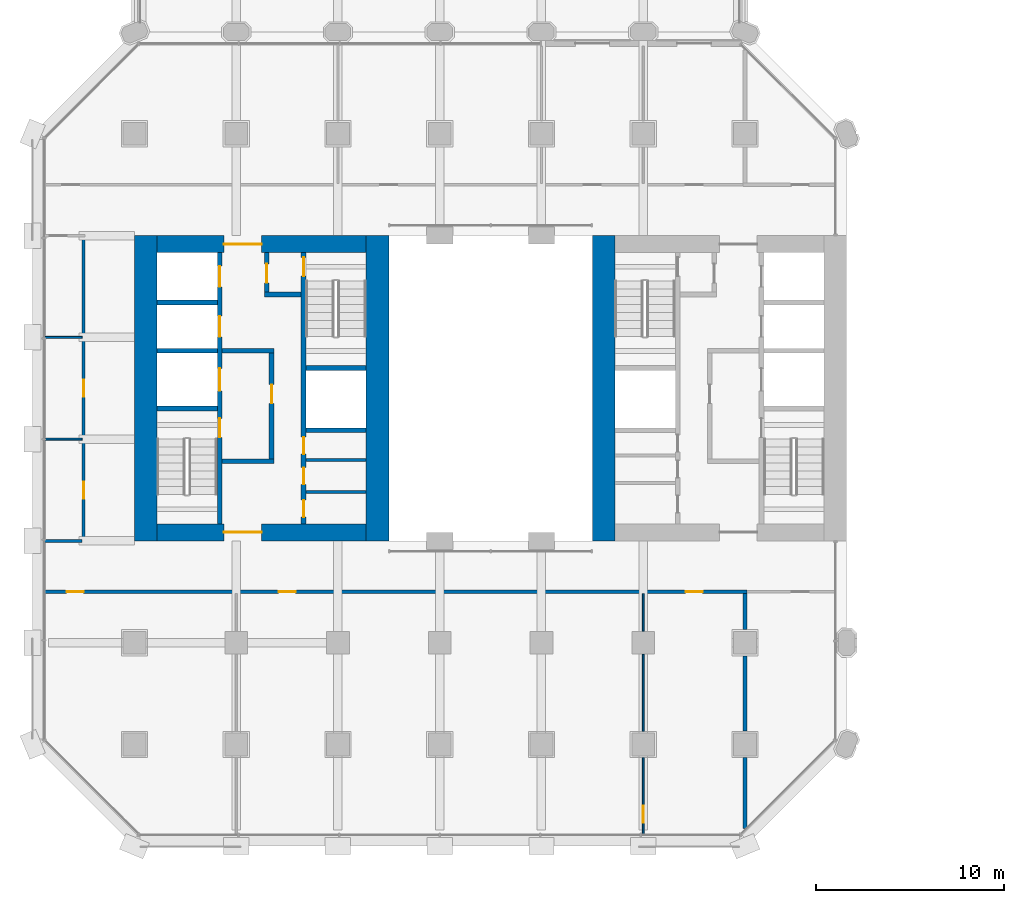
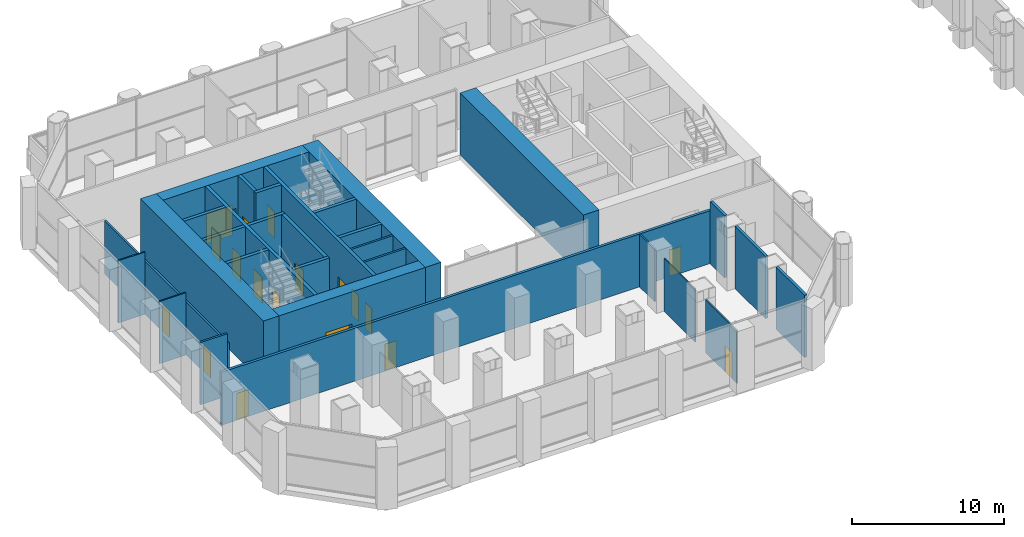
# One storey, part 12 of 27: 30 walls, 18 doors, 18 openings.
"""IFC4 building model written with IfcOpenShell, lengths in metres."""

from ifc_helpers import new_model, si_unit, direction, frame, frame_2d, origin, place, context, subcontext, project, spatial, rectangle, extrude, material, layer, layer_set, type_object, element, fill, save


model = new_model("IFC4")

# Units and contexts
model_context = context("Model", 3, precision=1e-05, world=origin(), true_north=direction((0.0, 1.0)))
body_context = subcontext(model_context, "Body", "Model", "MODEL_VIEW")
ifc_project = project(units=[si_unit("LENGTHUNIT", "METRE"), si_unit("AREAUNIT", "SQUARE_METRE"), si_unit("VOLUMEUNIT", "CUBIC_METRE"), si_unit("PLANEANGLEUNIT", "RADIAN"), si_unit("MASSUNIT", "GRAM", prefix="KILO")], contexts=[model_context])

# Site, building, storey
site_placement = place(None, origin())
site = spatial("IfcSite", under=ifc_project, at=site_placement, CompositionType="ELEMENT")
building_placement = place(site_placement, origin())
building = spatial("IfcBuilding", under=site, at=building_placement, Name="Tabaq Tower and Sports Hall", CompositionType="ELEMENT")
storey_placement = place(building_placement, frame((0.0, 0.0, 14.39990234375)))
storey = spatial("IfcBuildingStorey", under=building, at=storey_placement, Name="L02", CompositionType="ELEMENT", Elevation=14.39990234375)

# Walls
ifc_material_1 = material(Name="Blockwork", Category="masonry")
ifc_layer_1 = layer(ifc_material_1, 0.14990234375)
ifc_layer_set_1 = layer_set([ifc_layer_1], Name="Core room partition 150 Blockwork")
wall_type_1 = type_object("IfcWallType", Name="Core room partition 150 Blockwork", PredefinedType="PARTITIONING", material=ifc_layer_set_1)
for number, where, z_axis, x_axis, name in (
    (1, (14.5, 18.797119140625, 0.0), (0.0, 0.0, 1.0), (1.0, 0.0, 0.0), "Core room partition W L02"),
    (2, (14.5, 20.493896484375, 0.0), (0.0, 0.0, 1.0), (1.0, 0.0, 0.0), "Core room partition W L02"),
):
    element("IfcWall", number, at=place(storey_placement, frame(where, z_axis=z_axis, x_axis=x_axis)), inside=storey, type_object=wall_type_1, Name=name, PredefinedType="PARTITIONING", context=body_context, shape_type="SweptSolid", body=[
        extrude(rectangle(XDim=3.199951171875, YDim=0.14990234375, at=frame_2d((1.60009765625, 0.0))), origin(), (0.0, 0.0, 1.0), 5.0),
    ])
ifc_material_2 = material(Name="Concrete C60/75", Category="concrete")
ifc_layer_2 = layer(ifc_material_2, 1.199951171875)
ifc_layer_set_2 = layer_set([ifc_layer_2], Name="Core wall 1200 Concrete C60/75")
wall_type_2 = type_object("IfcWallType", Name="Core wall 1200 Concrete C60/75", PredefinedType="SOLIDWALL", material=ifc_layer_set_2)
for number, where, z_axis, x_axis, name in (
    (3, (6.0, 16.199951171875, 0.0), (0.0, 0.0, 1.0), (0.0, 1.0, 0.0), "Core wall W L02"),
    (4, (18.300048828125, 32.39990234375, 0.0), (0.0, 0.0, 1.0), (0.0, -1.0, 0.0), "Core wall W L02"),
    (5, (30.300048828125, 16.199951171875, 0.0), (0.0, 0.0, 1.0), (0.0, 1.0, 0.0), "Core wall E L02"),
):
    element("IfcWall", number, at=place(storey_placement, frame(where, z_axis=z_axis, x_axis=x_axis)), inside=storey, type_object=wall_type_2, Name=name, PredefinedType="SOLIDWALL", context=body_context, shape_type="SweptSolid", body=[
        extrude(rectangle(XDim=16.199951171875, YDim=1.199951171875, at=frame_2d((8.10009765625, 0.0))), origin(), (0.0, 0.0, 1.0), 5.0),
    ])

# Wall, opening, door
ifc_material_3 = material(Name="Concrete C60/75", Category="concrete")
ifc_layer_3 = layer(ifc_material_3, 0.89990234375)
ifc_layer_set_3 = layer_set([ifc_layer_3], Name="Core wall 900 Concrete C60/75")
wall_type_3 = type_object("IfcWallType", Name="Core wall 900 Concrete C60/75", PredefinedType="SOLIDWALL", material=ifc_layer_set_3)
wall_1_placement = place(storey_placement, frame((17.699951171875, 16.64990234375, 0.0), z_axis=(0.0, 0.0, 1.0), x_axis=(-1.0, 0.0, 0.0)))
wall_1 = element("IfcWall", 6, at=wall_1_placement, inside=storey, type_object=wall_type_3, Name="Core wall W L02", PredefinedType="SOLIDWALL", context=body_context, shape_type="SweptSolid", body=[
    extrude(rectangle(XDim=11.099853515625, YDim=0.89990234375, at=frame_2d((5.5498046875, 0.0))), origin(), (0.0, 0.0, 1.0), 5.0),
])
opening_1_placement = place(wall_1_placement, frame((5.550048828125, 0.0, 0.0)))
opening_1 = element("IfcOpeningElement", 7, at=opening_1_placement, cuts=wall_1, Name="Opening PD-WL02-01", PredefinedType="OPENING", context=body_context, shape_type="SweptSolid", body=[
    extrude(rectangle(XDim=2.0, YDim=2.39990234375, at=frame_2d((1.0, 1.199951171875))), frame((0.0, 0.449951171875, 0.0), z_axis=(0.0, -1.0, 0.0), x_axis=(1.0, 0.0, 0.0)), (0.0, 0.0, 1.0), 0.89990234375),
])
ifc_material_4 = material(Name="Steel fire door", Category="steel")
door_type_1 = type_object("IfcDoorType", Name="Core entrance door 2000", OperationType="DOUBLE_DOOR_SINGLE_SWING", PredefinedType="DOOR", material=ifc_material_4)
door_1_placement = place(opening_1_placement, origin())
door_1 = element("IfcDoor", 8, at=door_1_placement, inside=storey, type_object=door_type_1, Name="Core entrance south W L02", OperationType="DOUBLE_DOOR_SINGLE_SWING", OverallHeight=2.39990234375, OverallWidth=2.0, PredefinedType="DOOR", context=body_context, shape_type="SweptSolid", body=[
    extrude(rectangle(XDim=2.0, YDim=2.39990234375, at=frame_2d((1.0, 1.199951171875))), frame((0.0, 0.02490234375, 0.0), z_axis=(0.0, -1.0, 0.0), x_axis=(1.0, 0.0, 0.0)), (0.0, 0.0, 1.0), 0.050048828125),
])
fill(opening_1, door_1)

wall_2_placement = place(storey_placement, frame((6.60009765625, 31.949951171875, 0.0), z_axis=(0.0, 0.0, 1.0), x_axis=(1.0, 0.0, 0.0)))
wall_2 = element("IfcWall", 9, at=wall_2_placement, inside=storey, type_object=wall_type_3, Name="Core wall W L02", PredefinedType="SOLIDWALL", context=body_context, shape_type="SweptSolid", body=[
    extrude(rectangle(XDim=11.099853515625, YDim=0.89990234375, at=frame_2d((5.5498046875, 0.0))), origin(), (0.0, 0.0, 1.0), 5.0),
])
opening_2_placement = place(wall_2_placement, frame((3.550048828125, 0.0, 0.0)))
opening_2 = element("IfcOpeningElement", 10, at=opening_2_placement, cuts=wall_2, Name="Opening PD-WL02-02", PredefinedType="OPENING", context=body_context, shape_type="SweptSolid", body=[
    extrude(rectangle(XDim=2.0, YDim=2.39990234375, at=frame_2d((1.0, 1.199951171875))), frame((0.0, 0.449951171875, 0.0), z_axis=(0.0, -1.0, 0.0), x_axis=(1.0, 0.0, 0.0)), (0.0, 0.0, 1.0), 0.89990234375),
])
door_2_placement = place(opening_2_placement, origin())
door_2 = element("IfcDoor", 11, at=door_2_placement, inside=storey, type_object=door_type_1, Name="Core entrance north W L02", OperationType="DOUBLE_DOOR_SINGLE_SWING", OverallHeight=2.39990234375, OverallWidth=2.0, PredefinedType="DOOR", context=body_context, shape_type="SweptSolid", body=[
    extrude(rectangle(XDim=2.0, YDim=2.39990234375, at=frame_2d((1.0, 1.199951171875))), frame((0.0, 0.02490234375, 0.0), z_axis=(0.0, -1.0, 0.0), x_axis=(1.0, 0.0, 0.0)), (0.0, 0.0, 1.0), 0.050048828125),
])
fill(opening_2, door_2)

# Wall, openings, doors
ifc_material_5 = material(Name="Blockwork", Category="masonry")
ifc_layer_4 = layer(ifc_material_5, 0.199951171875)
ifc_layer_set_4 = layer_set([ifc_layer_4], Name="Fire compartment wall 200 Blockwork")
wall_type_4 = type_object("IfcWallType", Name="Fire compartment wall 200 Blockwork", PredefinedType="PARTITIONING", material=ifc_layer_set_4)
wall_3_placement = place(storey_placement, frame((0.60009765625, 13.5, 0.0), z_axis=(0.0, 0.0, 1.0), x_axis=(1.0, 0.0, 0.0)))
wall_3 = element("IfcWall", 12, at=wall_3_placement, inside=storey, type_object=wall_type_4, Name="Compartment wall L02", PredefinedType="PARTITIONING", context=body_context, shape_type="SweptSolid", body=[
    extrude(rectangle(XDim=37.2998046875, YDim=0.199951171875, at=frame_2d((18.64990234375, 0.0))), origin(), (0.0, 0.0, 1.0), 4.25),
])
opening_3_placement = place(wall_3_placement, frame((1.199951171875, 0.0, 0.0)))
opening_3 = element("IfcOpeningElement", 13, at=opening_3_placement, cuts=wall_3, Name="Opening L02-006", PredefinedType="OPENING", context=body_context, shape_type="SweptSolid", body=[
    extrude(rectangle(XDim=0.89990234375, YDim=2.10009765625, at=frame_2d((0.449951171875, 1.050048828125))), frame((0.0, 0.10009765625, 0.0), z_axis=(0.0, -1.0, 0.0), x_axis=(1.0, 0.0, 0.0)), (0.0, 0.0, 1.0), 0.199951171875),
])
opening_4_placement = place(wall_3_placement, frame((12.449951171875, 0.0, 0.0)))
opening_4 = element("IfcOpeningElement", 14, at=opening_4_placement, cuts=wall_3, Name="Opening L02-011", PredefinedType="OPENING", context=body_context, shape_type="SweptSolid", body=[
    extrude(rectangle(XDim=0.89990234375, YDim=2.10009765625, at=frame_2d((0.449951171875, 1.050048828125))), frame((0.0, 0.10009765625, 0.0), z_axis=(0.0, -1.0, 0.0), x_axis=(1.0, 0.0, 0.0)), (0.0, 0.0, 1.0), 0.199951171875),
])
opening_5_placement = place(wall_3_placement, frame((34.050048828125, 0.0, 0.0)))
opening_5 = element("IfcOpeningElement", 15, at=opening_5_placement, cuts=wall_3, Name="Opening L02-012", PredefinedType="OPENING", context=body_context, shape_type="SweptSolid", body=[
    extrude(rectangle(XDim=0.89990234375, YDim=2.10009765625, at=frame_2d((0.449951171875, 1.050048828125))), frame((0.0, 0.10009765625, 0.0), z_axis=(0.0, -1.0, 0.0), x_axis=(1.0, 0.0, 0.0)), (0.0, 0.0, 1.0), 0.199951171875),
])
ifc_material_6 = material(Name="Timber leaf in steel frame", Category="steel")
door_type_2 = type_object("IfcDoorType", Name="Internal door 900 right hand", OperationType="SINGLE_SWING_RIGHT", PredefinedType="DOOR", material=ifc_material_6)
door_3_placement = place(opening_3_placement, origin())
door_3 = element("IfcDoor", 16, at=door_3_placement, inside=storey, type_object=door_type_2, Name="Internal door L02-006", OperationType="SINGLE_SWING_RIGHT", OverallHeight=2.10009765625, OverallWidth=0.89990234375, PredefinedType="DOOR", context=body_context, shape_type="SweptSolid", body=[
    extrude(rectangle(XDim=0.89990234375, YDim=2.10009765625, at=frame_2d((0.449951171875, 1.050048828125))), frame((0.0, 0.02490234375, 0.0), z_axis=(0.0, -1.0, 0.0), x_axis=(1.0, 0.0, 0.0)), (0.0, 0.0, 1.0), 0.050048828125),
])
fill(opening_3, door_3)
door_4_placement = place(opening_4_placement, origin())
door_4 = element("IfcDoor", 17, at=door_4_placement, inside=storey, type_object=door_type_2, Name="Internal door L02-011", OperationType="SINGLE_SWING_RIGHT", OverallHeight=2.10009765625, OverallWidth=0.89990234375, PredefinedType="DOOR", context=body_context, shape_type="SweptSolid", body=[
    extrude(rectangle(XDim=0.89990234375, YDim=2.10009765625, at=frame_2d((0.449951171875, 1.050048828125))), frame((0.0, 0.02490234375, 0.0), z_axis=(0.0, -1.0, 0.0), x_axis=(1.0, 0.0, 0.0)), (0.0, 0.0, 1.0), 0.050048828125),
])
fill(opening_4, door_4)
door_5_placement = place(opening_5_placement, origin())
door_5 = element("IfcDoor", 18, at=door_5_placement, inside=storey, type_object=door_type_2, Name="Internal door L02-012", OperationType="SINGLE_SWING_RIGHT", OverallHeight=2.10009765625, OverallWidth=0.89990234375, PredefinedType="DOOR", context=body_context, shape_type="SweptSolid", body=[
    extrude(rectangle(XDim=0.89990234375, YDim=2.10009765625, at=frame_2d((0.449951171875, 1.050048828125))), frame((0.0, 0.02490234375, 0.0), z_axis=(0.0, -1.0, 0.0), x_axis=(1.0, 0.0, 0.0)), (0.0, 0.0, 1.0), 0.050048828125),
])
fill(opening_5, door_5)

# Walls
wall_4_placement = place(storey_placement, frame((37.800048828125, 0.948486328125, 0.0), z_axis=(0.0, 0.0, 1.0), x_axis=(0.0, 1.0, 0.0)))
element("IfcWall", 19, at=wall_4_placement, inside=storey, type_object=wall_type_4, Name="Compartment wall L02", PredefinedType="PARTITIONING", context=body_context, shape_type="SweptSolid", body=[
    extrude(rectangle(XDim=3.750732421875, YDim=0.199951171875, at=frame_2d((1.87548828125, 0.0))), origin(), (0.0, 0.0, 1.0), 5.0),
])
wall_5_placement = place(storey_placement, frame((37.800048828125, 6.1005859375, 0.0), z_axis=(0.0, 0.0, 1.0), x_axis=(0.0, 1.0, 0.0)))
element("IfcWall", 20, at=wall_5_placement, inside=storey, type_object=wall_type_4, Name="Compartment wall L02", PredefinedType="PARTITIONING", context=body_context, shape_type="SweptSolid", body=[
    extrude(rectangle(XDim=3.998779296875, YDim=0.199951171875, at=frame_2d((1.99951171875, 0.0))), origin(), (0.0, 0.0, 1.0), 5.0),
])
wall_6_placement = place(storey_placement, frame((37.800048828125, 11.500732421875, 0.0), z_axis=(0.0, 0.0, 1.0), x_axis=(0.0, 1.0, 0.0)))
element("IfcWall", 21, at=wall_6_placement, inside=storey, type_object=wall_type_4, Name="Compartment wall L02", PredefinedType="PARTITIONING", context=body_context, shape_type="SweptSolid", body=[
    extrude(rectangle(XDim=1.899169921875, YDim=0.199951171875, at=frame_2d((0.94970703125, 0.0))), origin(), (0.0, 0.0, 1.0), 5.0),
])

# Wall, opening, door
ifc_material_7 = material(Name="Gypsum board on steel studs", Category="steel")
ifc_layer_5 = layer(ifc_material_7, 0.10009765625)
ifc_layer_set_5 = layer_set([ifc_layer_5], Name="Partition 100 Gypsum board")
wall_type_5 = type_object("IfcWallType", Name="Partition 100 Gypsum board", PredefinedType="PARTITIONING", material=ifc_layer_set_5)
wall_7_placement = place(storey_placement, frame((32.39990234375, 0.60009765625, 0.0), z_axis=(0.0, 0.0, 1.0), x_axis=(0.0, 1.0, 0.0)))
wall_7 = element("IfcWall", 22, at=wall_7_placement, inside=storey, type_object=wall_type_5, Name="Partition wall L02", PredefinedType="PARTITIONING", context=body_context, shape_type="SweptSolid", body=[
    extrude(rectangle(XDim=4.09912109375, YDim=0.10009765625, at=frame_2d((2.049560546875, 0.0))), origin(), (0.0, 0.0, 1.0), 4.25),
])
opening_6_placement = place(wall_7_placement, frame((0.637451171875, 0.0, 0.0)))
opening_6 = element("IfcOpeningElement", 23, at=opening_6_placement, cuts=wall_7, Name="Opening L02-013", PredefinedType="OPENING", context=body_context, shape_type="SweptSolid", body=[
    extrude(rectangle(XDim=0.89990234375, YDim=2.10009765625, at=frame_2d((0.449951171875, 1.050048828125))), frame((0.0, 0.050048828125, 0.0), z_axis=(0.0, -1.0, 0.0), x_axis=(1.0, 0.0, 0.0)), (0.0, 0.0, 1.0), 0.10009765625),
])
ifc_material_8 = material(Name="Timber leaf in steel frame", Category="steel")
door_type_3 = type_object("IfcDoorType", Name="Internal door 900 left hand", OperationType="SINGLE_SWING_LEFT", PredefinedType="DOOR", material=ifc_material_8)
door_6_placement = place(opening_6_placement, origin())
door_6 = element("IfcDoor", 24, at=door_6_placement, inside=storey, type_object=door_type_3, Name="Internal door L02-013", OperationType="SINGLE_SWING_LEFT", OverallHeight=2.10009765625, OverallWidth=0.89990234375, PredefinedType="DOOR", context=body_context, shape_type="SweptSolid", body=[
    extrude(rectangle(XDim=0.89990234375, YDim=2.10009765625, at=frame_2d((0.449951171875, 1.050048828125))), frame((0.0, 0.02490234375, 0.0), z_axis=(0.0, -1.0, 0.0), x_axis=(1.0, 0.0, 0.0)), (0.0, 0.0, 1.0), 0.050048828125),
])
fill(opening_6, door_6)

# Walls
wall_8_placement = place(storey_placement, frame((32.39990234375, 6.1005859375, 0.0), z_axis=(0.0, 0.0, 1.0), x_axis=(0.0, 1.0, 0.0)))
element("IfcWall", 25, at=wall_8_placement, inside=storey, type_object=wall_type_5, Name="Partition wall L02", PredefinedType="PARTITIONING", context=body_context, shape_type="SweptSolid", body=[
    extrude(rectangle(XDim=4.079345703125, YDim=0.10009765625, at=frame_2d((2.03955078125, 0.0))), origin(), (0.0, 0.0, 1.0), 4.25),
])
wall_9_placement = place(storey_placement, frame((32.39990234375, 11.419921875, 0.0), z_axis=(0.0, 0.0, 1.0), x_axis=(0.0, 1.0, 0.0)))
element("IfcWall", 26, at=wall_9_placement, inside=storey, type_object=wall_type_5, Name="Partition wall L02", PredefinedType="PARTITIONING", context=body_context, shape_type="SweptSolid", body=[
    extrude(rectangle(XDim=1.97998046875, YDim=0.10009765625, at=frame_2d((0.989990234375, 0.0))), origin(), (0.0, 0.0, 1.0), 4.25),
])
for number, where, z_axis, x_axis, name in (
    (27, (2.625, 21.60009765625, 0.0), (0.0, 0.0, 1.0), (-1.0, 0.0, 0.0), "Partition wall L02"),
    (28, (2.625, 27.0, 0.0), (0.0, 0.0, 1.0), (-1.0, 0.0, 0.0), "Partition wall L02"),
):
    element("IfcWall", number, at=place(storey_placement, frame(where, z_axis=z_axis, x_axis=x_axis)), inside=storey, type_object=wall_type_5, Name=name, PredefinedType="PARTITIONING", context=body_context, shape_type="SweptSolid", body=[
        extrude(rectangle(XDim=2.02490234375, YDim=0.10009765625, at=frame_2d((1.012451171875, 0.0))), origin(), (0.0, 0.0, 1.0), 5.0),
    ])

# Wall, openings, doors
ifc_material_9 = material(Name="Blockwork", Category="masonry")
ifc_layer_6 = layer(ifc_material_9, 0.14990234375)
ifc_layer_set_6 = layer_set([ifc_layer_6], Name="Separating wall 150 Blockwork")
wall_type_6 = type_object("IfcWallType", Name="Separating wall 150 Blockwork", PredefinedType="PARTITIONING", material=ifc_layer_set_6)
wall_10_placement = place(storey_placement, frame((2.699951171875, 32.324951171875, 0.0), z_axis=(0.0, 0.0, 1.0), x_axis=(0.0, -1.0, 0.0)))
wall_10 = element("IfcWall", 29, at=wall_10_placement, inside=storey, type_object=wall_type_6, Name="Separating wall L02", PredefinedType="PARTITIONING", context=body_context, shape_type="SweptSolid", body=[
    extrude(rectangle(XDim=16.199951171875, YDim=0.14990234375, at=frame_2d((8.10009765625, 0.0))), origin(), (0.0, 0.0, 1.0), 4.25),
])
opening_7_placement = place(wall_10_placement, frame((12.97509765625, 0.0, 0.0)))
opening_7 = element("IfcOpeningElement", 30, at=opening_7_placement, cuts=wall_10, Name="Opening L02-008", PredefinedType="OPENING", context=body_context, shape_type="SweptSolid", body=[
    extrude(rectangle(XDim=0.89990234375, YDim=2.10009765625, at=frame_2d((0.449951171875, 1.050048828125))), frame((0.0, 0.074951171875, 0.0), z_axis=(0.0, -1.0, 0.0), x_axis=(1.0, 0.0, 0.0)), (0.0, 0.0, 1.0), 0.14990234375),
])
opening_8_placement = place(wall_10_placement, frame((7.574951171875, 0.0, 0.0)))
opening_8 = element("IfcOpeningElement", 31, at=opening_8_placement, cuts=wall_10, Name="Opening L02-009", PredefinedType="OPENING", context=body_context, shape_type="SweptSolid", body=[
    extrude(rectangle(XDim=0.89990234375, YDim=2.10009765625, at=frame_2d((0.449951171875, 1.050048828125))), frame((0.0, 0.074951171875, 0.0), z_axis=(0.0, -1.0, 0.0), x_axis=(1.0, 0.0, 0.0)), (0.0, 0.0, 1.0), 0.14990234375),
])
door_7_placement = place(opening_7_placement, origin())
door_7 = element("IfcDoor", 32, at=door_7_placement, inside=storey, type_object=door_type_3, Name="Internal door L02-008", OperationType="SINGLE_SWING_LEFT", OverallHeight=2.10009765625, OverallWidth=0.89990234375, PredefinedType="DOOR", context=body_context, shape_type="SweptSolid", body=[
    extrude(rectangle(XDim=0.89990234375, YDim=2.10009765625, at=frame_2d((0.449951171875, 1.050048828125))), frame((0.0, 0.02490234375, 0.0), z_axis=(0.0, -1.0, 0.0), x_axis=(1.0, 0.0, 0.0)), (0.0, 0.0, 1.0), 0.050048828125),
])
fill(opening_7, door_7)
door_8_placement = place(opening_8_placement, origin())
door_8 = element("IfcDoor", 33, at=door_8_placement, inside=storey, type_object=door_type_3, Name="Internal door L02-009", OperationType="SINGLE_SWING_LEFT", OverallHeight=2.10009765625, OverallWidth=0.89990234375, PredefinedType="DOOR", context=body_context, shape_type="SweptSolid", body=[
    extrude(rectangle(XDim=0.89990234375, YDim=2.10009765625, at=frame_2d((0.449951171875, 1.050048828125))), frame((0.0, 0.02490234375, 0.0), z_axis=(0.0, -1.0, 0.0), x_axis=(1.0, 0.0, 0.0)), (0.0, 0.0, 1.0), 0.050048828125),
])
fill(opening_8, door_8)

# Wall
wall_11_placement = place(storey_placement, frame((2.625, 16.199951171875, 0.0), z_axis=(0.0, 0.0, 1.0), x_axis=(-1.0, 0.0, 0.0)))
element("IfcWall", 34, at=wall_11_placement, inside=storey, type_object=wall_type_6, Name="Separating wall L02", PredefinedType="PARTITIONING", context=body_context, shape_type="SweptSolid", body=[
    extrude(rectangle(XDim=2.02490234375, YDim=0.14990234375, at=frame_2d((1.012451171875, 0.0))), origin(), (0.0, 0.0, 1.0), 5.0),
])

# Wall, openings, doors
ifc_material_10 = material(Name="Concrete C40/50", Category="concrete")
ifc_layer_7 = layer(ifc_material_10, 0.25)
ifc_layer_set_7 = layer_set([ifc_layer_7], Name="Shaft and stair wall 250 Concrete C40/50")
wall_type_7 = type_object("IfcWallType", Name="Shaft and stair wall 250 Concrete C40/50", PredefinedType="SOLIDWALL", material=ifc_layer_set_7)
wall_12_placement = place(storey_placement, frame((9.925048828125, 17.10009765625, 0.0), z_axis=(0.0, 0.0, 1.0), x_axis=(0.0, 1.0, 0.0)))
wall_12 = element("IfcWall", 35, at=wall_12_placement, inside=storey, type_object=wall_type_7, Name="Shaft wall W L02", PredefinedType="SOLIDWALL", context=body_context, shape_type="SweptSolid", body=[
    extrude(rectangle(XDim=14.39990234375, YDim=0.25, at=frame_2d((7.199951171875, 0.0))), origin(), (0.0, 0.0, 1.0), 5.0),
])
opening_9_placement = place(wall_12_placement, frame((4.60009765625, 0.0, 0.0)))
opening_9 = element("IfcOpeningElement", 36, at=opening_9_placement, cuts=wall_12, Name="Opening SD-WL02-03", PredefinedType="OPENING", context=body_context, shape_type="SweptSolid", body=[
    extrude(rectangle(XDim=1.0, YDim=2.10009765625, at=frame_2d((0.5, 1.050048828125))), frame((0.0, 0.125, 0.0), z_axis=(0.0, -1.0, 0.0), x_axis=(1.0, 0.0, 0.0)), (0.0, 0.0, 1.0), 0.25),
])
opening_10_placement = place(wall_12_placement, frame((7.0625, 0.0, 0.0)))
opening_10 = element("IfcOpeningElement", 37, at=opening_10_placement, cuts=wall_12, Name="Opening LD-FF1-L02", PredefinedType="OPENING", context=body_context, shape_type="SweptSolid", body=[
    extrude(rectangle(XDim=1.199951171875, YDim=2.10009765625, at=frame_2d((0.60009765625, 1.050048828125))), frame((0.0, 0.125, 0.0), z_axis=(0.0, -1.0, 0.0), x_axis=(1.0, 0.0, 0.0)), (0.0, 0.0, 1.0), 0.25),
])
opening_11_placement = place(wall_12_placement, frame((9.925048828125, 0.0, 0.0)))
opening_11 = element("IfcOpeningElement", 38, at=opening_11_placement, cuts=wall_12, Name="Opening LD-LR1-L02", PredefinedType="OPENING", context=body_context, shape_type="SweptSolid", body=[
    extrude(rectangle(XDim=1.10009765625, YDim=2.10009765625, at=frame_2d((0.550048828125, 1.050048828125))), frame((0.0, 0.125, 0.0), z_axis=(0.0, -1.0, 0.0), x_axis=(1.0, 0.0, 0.0)), (0.0, 0.0, 1.0), 0.25),
])
opening_12_placement = place(wall_12_placement, frame((12.58740234375, 0.0, 0.0)))
opening_12 = element("IfcOpeningElement", 39, at=opening_12_placement, cuts=wall_12, Name="Opening LD-LR2-L02", PredefinedType="OPENING", context=body_context, shape_type="SweptSolid", body=[
    extrude(rectangle(XDim=1.10009765625, YDim=2.10009765625, at=frame_2d((0.550048828125, 1.050048828125))), frame((0.0, 0.125, 0.0), z_axis=(0.0, -1.0, 0.0), x_axis=(1.0, 0.0, 0.0)), (0.0, 0.0, 1.0), 0.25),
])
ifc_material_11 = material(Name="Stainless steel", Category="steel")
door_type_4 = type_object("IfcDoorType", Name="Lift landing door 1100", OperationType="DOUBLE_DOOR_SLIDING", PredefinedType="DOOR", material=ifc_material_11)
door_9_placement = place(opening_11_placement, origin())
door_9 = element("IfcDoor", 40, at=door_9_placement, inside=storey, type_object=door_type_4, Name="Lift landing door LR1 W L02", OperationType="DOUBLE_DOOR_SLIDING", OverallHeight=2.10009765625, OverallWidth=1.10009765625, PredefinedType="DOOR", context=body_context, shape_type="SweptSolid", body=[
    extrude(rectangle(XDim=1.10009765625, YDim=2.10009765625, at=frame_2d((0.550048828125, 1.050048828125))), frame((0.0, 0.02490234375, 0.0), z_axis=(0.0, -1.0, 0.0), x_axis=(1.0, 0.0, 0.0)), (0.0, 0.0, 1.0), 0.050048828125),
])
fill(opening_11, door_9)
door_10_placement = place(opening_12_placement, origin())
door_10 = element("IfcDoor", 41, at=door_10_placement, inside=storey, type_object=door_type_4, Name="Lift landing door LR2 W L02", OperationType="DOUBLE_DOOR_SLIDING", OverallHeight=2.10009765625, OverallWidth=1.10009765625, PredefinedType="DOOR", context=body_context, shape_type="SweptSolid", body=[
    extrude(rectangle(XDim=1.10009765625, YDim=2.10009765625, at=frame_2d((0.550048828125, 1.050048828125))), frame((0.0, 0.02490234375, 0.0), z_axis=(0.0, -1.0, 0.0), x_axis=(1.0, 0.0, 0.0)), (0.0, 0.0, 1.0), 0.050048828125),
])
fill(opening_12, door_10)
ifc_material_12 = material(Name="Stainless steel", Category="steel")
door_type_5 = type_object("IfcDoorType", Name="Lift landing door 1200", OperationType="DOUBLE_DOOR_SLIDING", PredefinedType="DOOR", material=ifc_material_12)
door_11_placement = place(opening_10_placement, origin())
door_11 = element("IfcDoor", 42, at=door_11_placement, inside=storey, type_object=door_type_5, Name="Lift landing door FF1 W L02", OperationType="DOUBLE_DOOR_SLIDING", OverallHeight=2.10009765625, OverallWidth=1.199951171875, PredefinedType="DOOR", context=body_context, shape_type="SweptSolid", body=[
    extrude(rectangle(XDim=1.199951171875, YDim=2.10009765625, at=frame_2d((0.60009765625, 1.050048828125))), frame((0.0, 0.02490234375, 0.0), z_axis=(0.0, -1.0, 0.0), x_axis=(1.0, 0.0, 0.0)), (0.0, 0.0, 1.0), 0.050048828125),
])
fill(opening_10, door_11)
ifc_material_13 = material(Name="Steel fire door", Category="steel")
door_type_6 = type_object("IfcDoorType", Name="Stair door 1000", OperationType="SINGLE_SWING_LEFT", PredefinedType="DOOR", material=ifc_material_13)
door_12_placement = place(opening_9_placement, origin())
door_12 = element("IfcDoor", 43, at=door_12_placement, inside=storey, type_object=door_type_6, Name="Stair door ST1 W L02", OperationType="SINGLE_SWING_LEFT", OverallHeight=2.10009765625, OverallWidth=1.0, PredefinedType="DOOR", context=body_context, shape_type="SweptSolid", body=[
    extrude(rectangle(XDim=1.0, YDim=2.10009765625, at=frame_2d((0.5, 1.050048828125))), frame((0.0, 0.02490234375, 0.0), z_axis=(0.0, -1.0, 0.0), x_axis=(1.0, 0.0, 0.0)), (0.0, 0.0, 1.0), 0.050048828125),
])
fill(opening_9, door_12)

wall_13_placement = place(storey_placement, frame((14.375, 17.10009765625, 0.0), z_axis=(0.0, 0.0, 1.0), x_axis=(0.0, 1.0, 0.0)))
wall_13 = element("IfcWall", 44, at=wall_13_placement, inside=storey, type_object=wall_type_7, Name="Shaft wall W L02", PredefinedType="SOLIDWALL", context=body_context, shape_type="SweptSolid", body=[
    extrude(rectangle(XDim=14.39990234375, YDim=0.25, at=frame_2d((7.199951171875, 0.0))), origin(), (0.0, 0.0, 1.0), 5.0),
])
opening_13_placement = place(wall_13_placement, frame((13.14990234375, 0.0, 0.0)))
opening_13 = element("IfcOpeningElement", 45, at=opening_13_placement, cuts=wall_13, Name="Opening SD-WL02-05", PredefinedType="OPENING", context=body_context, shape_type="SweptSolid", body=[
    extrude(rectangle(XDim=1.0, YDim=2.10009765625, at=frame_2d((0.5, 1.050048828125))), frame((0.0, 0.125, 0.0), z_axis=(0.0, -1.0, 0.0), x_axis=(1.0, 0.0, 0.0)), (0.0, 0.0, 1.0), 0.25),
])
opening_14_placement = place(wall_13_placement, frame((0.361083984375, 0.0, 0.0)))
opening_14 = element("IfcOpeningElement", 46, at=opening_14_placement, cuts=wall_13, Name="Opening RD-WL02-10", PredefinedType="OPENING", context=body_context, shape_type="SweptSolid", body=[
    extrude(rectangle(XDim=0.89990234375, YDim=2.10009765625, at=frame_2d((0.449951171875, 1.050048828125))), frame((0.0, 0.125, 0.0), z_axis=(0.0, -1.0, 0.0), x_axis=(1.0, 0.0, 0.0)), (0.0, 0.0, 1.0), 0.25),
])
opening_15_placement = place(wall_13_placement, frame((2.095458984375, 0.0, 0.0)))
opening_15 = element("IfcOpeningElement", 47, at=opening_15_placement, cuts=wall_13, Name="Opening RD-WL02-11", PredefinedType="OPENING", context=body_context, shape_type="SweptSolid", body=[
    extrude(rectangle(XDim=0.89990234375, YDim=2.10009765625, at=frame_2d((0.449951171875, 1.050048828125))), frame((0.0, 0.125, 0.0), z_axis=(0.0, -1.0, 0.0), x_axis=(1.0, 0.0, 0.0)), (0.0, 0.0, 1.0), 0.25),
])
opening_16_placement = place(wall_13_placement, frame((3.70947265625, 0.0, 0.0)))
opening_16 = element("IfcOpeningElement", 48, at=opening_16_placement, cuts=wall_13, Name="Opening RD-WL02-12", PredefinedType="OPENING", context=body_context, shape_type="SweptSolid", body=[
    extrude(rectangle(XDim=0.89990234375, YDim=2.10009765625, at=frame_2d((0.449951171875, 1.050048828125))), frame((0.0, 0.125, 0.0), z_axis=(0.0, -1.0, 0.0), x_axis=(1.0, 0.0, 0.0)), (0.0, 0.0, 1.0), 0.25),
])
ifc_material_14 = material(Name="Steel fire door", Category="steel")
door_type_7 = type_object("IfcDoorType", Name="Core room door 900", OperationType="SINGLE_SWING_LEFT", PredefinedType="DOOR", material=ifc_material_14)
door_13_placement = place(opening_14_placement, origin())
door_13 = element("IfcDoor", 49, at=door_13_placement, inside=storey, type_object=door_type_7, Name="Door Accessible WC W L02", OperationType="SINGLE_SWING_LEFT", OverallHeight=2.10009765625, OverallWidth=0.89990234375, PredefinedType="DOOR", context=body_context, shape_type="SweptSolid", body=[
    extrude(rectangle(XDim=0.89990234375, YDim=2.10009765625, at=frame_2d((0.449951171875, 1.050048828125))), frame((0.0, 0.02490234375, 0.0), z_axis=(0.0, -1.0, 0.0), x_axis=(1.0, 0.0, 0.0)), (0.0, 0.0, 1.0), 0.050048828125),
])
fill(opening_14, door_13)
door_14_placement = place(opening_15_placement, origin())
door_14 = element("IfcDoor", 50, at=door_14_placement, inside=storey, type_object=door_type_7, Name="Door Unisex WC W L02", OperationType="SINGLE_SWING_LEFT", OverallHeight=2.10009765625, OverallWidth=0.89990234375, PredefinedType="DOOR", context=body_context, shape_type="SweptSolid", body=[
    extrude(rectangle(XDim=0.89990234375, YDim=2.10009765625, at=frame_2d((0.449951171875, 1.050048828125))), frame((0.0, 0.02490234375, 0.0), z_axis=(0.0, -1.0, 0.0), x_axis=(1.0, 0.0, 0.0)), (0.0, 0.0, 1.0), 0.050048828125),
])
fill(opening_15, door_14)
door_15_placement = place(opening_16_placement, origin())
door_15 = element("IfcDoor", 51, at=door_15_placement, inside=storey, type_object=door_type_7, Name="Door Cleaner's Store W L02", OperationType="SINGLE_SWING_LEFT", OverallHeight=2.10009765625, OverallWidth=0.89990234375, PredefinedType="DOOR", context=body_context, shape_type="SweptSolid", body=[
    extrude(rectangle(XDim=0.89990234375, YDim=2.10009765625, at=frame_2d((0.449951171875, 1.050048828125))), frame((0.0, 0.02490234375, 0.0), z_axis=(0.0, -1.0, 0.0), x_axis=(1.0, 0.0, 0.0)), (0.0, 0.0, 1.0), 0.050048828125),
])
fill(opening_16, door_15)
door_16_placement = place(opening_13_placement, origin())
door_16 = element("IfcDoor", 52, at=door_16_placement, inside=storey, type_object=door_type_6, Name="Stair door ST2 W L02", OperationType="SINGLE_SWING_LEFT", OverallHeight=2.10009765625, OverallWidth=1.0, PredefinedType="DOOR", context=body_context, shape_type="SweptSolid", body=[
    extrude(rectangle(XDim=1.0, YDim=2.10009765625, at=frame_2d((0.5, 1.050048828125))), frame((0.0, 0.02490234375, 0.0), z_axis=(0.0, -1.0, 0.0), x_axis=(1.0, 0.0, 0.0)), (0.0, 0.0, 1.0), 0.050048828125),
])
fill(opening_13, door_16)

# Walls
for number, where, z_axis, x_axis, name in (
    (53, (6.60009765625, 23.22509765625, 0.0), (0.0, 0.0, 1.0), (1.0, 0.0, 0.0), "Stair enclosure wall W L02"),
    (54, (14.5, 25.375, 0.0), (0.0, 0.0, 1.0), (1.0, 0.0, 0.0), "Stair enclosure wall W L02"),
    (55, (14.5, 22.074951171875, 0.0), (0.0, 0.0, 1.0), (1.0, 0.0, 0.0), "Shaft wall W L02"),
    (56, (6.60009765625, 26.300048828125, 0.0), (0.0, 0.0, 1.0), (1.0, 0.0, 0.0), "Shaft wall W L02"),
):
    element("IfcWall", number, at=place(storey_placement, frame(where, z_axis=z_axis, x_axis=x_axis)), inside=storey, type_object=wall_type_7, Name=name, PredefinedType="SOLIDWALL", context=body_context, shape_type="SweptSolid", body=[
        extrude(rectangle(XDim=3.199951171875, YDim=0.25, at=frame_2d((1.60009765625, 0.0))), origin(), (0.0, 0.0, 1.0), 5.0),
    ])
for number, where, z_axis, x_axis, name in (
    (57, (10.050048828125, 26.300048828125, 0.0), (0.0, 0.0, 1.0), (1.0, 0.0, 0.0), "Fire-fighting lobby wall W L02"),
    (58, (10.050048828125, 20.425048828125, 0.0), (0.0, 0.0, 1.0), (1.0, 0.0, 0.0), "Fire-fighting lobby wall W L02"),
):
    element("IfcWall", number, at=place(storey_placement, frame(where, z_axis=z_axis, x_axis=x_axis)), inside=storey, type_object=wall_type_7, Name=name, PredefinedType="SOLIDWALL", context=body_context, shape_type="SweptSolid", body=[
        extrude(rectangle(XDim=2.75, YDim=0.25, at=frame_2d((1.375, 0.0))), origin(), (0.0, 0.0, 1.0), 5.0),
    ])

# Wall, opening, door
wall_14_placement = place(storey_placement, frame((12.425048828125, 29.39990234375, 0.0), z_axis=(0.0, 0.0, 1.0), x_axis=(0.0, 1.0, 0.0)))
wall_14 = element("IfcWall", 59, at=wall_14_placement, inside=storey, type_object=wall_type_7, Name="Fire-fighting lobby wall W L02", PredefinedType="SOLIDWALL", context=body_context, shape_type="SweptSolid", body=[
    extrude(rectangle(XDim=2.10009765625, YDim=0.25, at=frame_2d((1.050048828125, 0.0))), origin(), (0.0, 0.0, 1.0), 5.0),
])
opening_17_placement = place(wall_14_placement, frame((0.5, 0.0, 0.0)))
opening_17 = element("IfcOpeningElement", 60, at=opening_17_placement, cuts=wall_14, Name="Opening FD-WL02-06", PredefinedType="OPENING", context=body_context, shape_type="SweptSolid", body=[
    extrude(rectangle(XDim=1.0, YDim=2.10009765625, at=frame_2d((0.5, 1.050048828125))), frame((0.0, 0.125, 0.0), z_axis=(0.0, -1.0, 0.0), x_axis=(1.0, 0.0, 0.0)), (0.0, 0.0, 1.0), 0.25),
])
ifc_material_15 = material(Name="Steel fire door", Category="steel")
door_type_8 = type_object("IfcDoorType", Name="Fire-fighting lobby door 1000", OperationType="SINGLE_SWING_LEFT", PredefinedType="DOOR", material=ifc_material_15)
door_17_placement = place(opening_17_placement, origin())
door_17 = element("IfcDoor", 61, at=door_17_placement, inside=storey, type_object=door_type_8, Name="Stair lobby door W L02", OperationType="SINGLE_SWING_LEFT", OverallHeight=2.10009765625, OverallWidth=1.0, PredefinedType="DOOR", context=body_context, shape_type="SweptSolid", body=[
    extrude(rectangle(XDim=1.0, YDim=2.10009765625, at=frame_2d((0.5, 1.050048828125))), frame((0.0, 0.02490234375, 0.0), z_axis=(0.0, -1.0, 0.0), x_axis=(1.0, 0.0, 0.0)), (0.0, 0.0, 1.0), 0.050048828125),
])
fill(opening_17, door_17)

# Wall
wall_15_placement = place(storey_placement, frame((12.300048828125, 29.27490234375, 0.0), z_axis=(0.0, 0.0, 1.0), x_axis=(1.0, 0.0, 0.0)))
element("IfcWall", 62, at=wall_15_placement, inside=storey, type_object=wall_type_7, Name="Fire-fighting lobby wall W L02", PredefinedType="SOLIDWALL", context=body_context, shape_type="SweptSolid", body=[
    extrude(rectangle(XDim=1.949951171875, YDim=0.25, at=frame_2d((0.97509765625, 0.0))), origin(), (0.0, 0.0, 1.0), 5.0),
])

# Wall, opening, door
wall_16_placement = place(storey_placement, frame((12.675048828125, 20.550048828125, 0.0), z_axis=(0.0, 0.0, 1.0), x_axis=(0.0, 1.0, 0.0)))
wall_16 = element("IfcWall", 63, at=wall_16_placement, inside=storey, type_object=wall_type_7, Name="Fire-fighting lobby wall W L02", PredefinedType="SOLIDWALL", context=body_context, shape_type="SweptSolid", body=[
    extrude(rectangle(XDim=5.625, YDim=0.25, at=frame_2d((2.8125, 0.0))), origin(), (0.0, 0.0, 1.0), 5.0),
])
opening_18_placement = place(wall_16_placement, frame((2.949951171875, 0.0, 0.0)))
opening_18 = element("IfcOpeningElement", 64, at=opening_18_placement, cuts=wall_16, Name="Opening FD-WL02-04", PredefinedType="OPENING", context=body_context, shape_type="SweptSolid", body=[
    extrude(rectangle(XDim=1.0, YDim=2.10009765625, at=frame_2d((0.5, 1.050048828125))), frame((0.0, 0.125, 0.0), z_axis=(0.0, -1.0, 0.0), x_axis=(1.0, 0.0, 0.0)), (0.0, 0.0, 1.0), 0.25),
])
door_18_placement = place(opening_18_placement, origin())
door_18 = element("IfcDoor", 65, at=door_18_placement, inside=storey, type_object=door_type_8, Name="Fire-fighting lobby door W L02", OperationType="SINGLE_SWING_LEFT", OverallHeight=2.10009765625, OverallWidth=1.0, PredefinedType="DOOR", context=body_context, shape_type="SweptSolid", body=[
    extrude(rectangle(XDim=1.0, YDim=2.10009765625, at=frame_2d((0.5, 1.050048828125))), frame((0.0, 0.02490234375, 0.0), z_axis=(0.0, -1.0, 0.0), x_axis=(1.0, 0.0, 0.0)), (0.0, 0.0, 1.0), 0.050048828125),
])
fill(opening_18, door_18)

# Wall
wall_17_placement = place(storey_placement, frame((6.60009765625, 28.85009765625, 0.0), z_axis=(0.0, 0.0, 1.0), x_axis=(1.0, 0.0, 0.0)))
element("IfcWall", 66, at=wall_17_placement, inside=storey, type_object=wall_type_7, Name="Shaft wall W L02", PredefinedType="SOLIDWALL", context=body_context, shape_type="SweptSolid", body=[
    extrude(rectangle(XDim=3.199951171875, YDim=0.25, at=frame_2d((1.60009765625, 0.0))), origin(), (0.0, 0.0, 1.0), 5.0),
])

save(model, "model.ifc")
